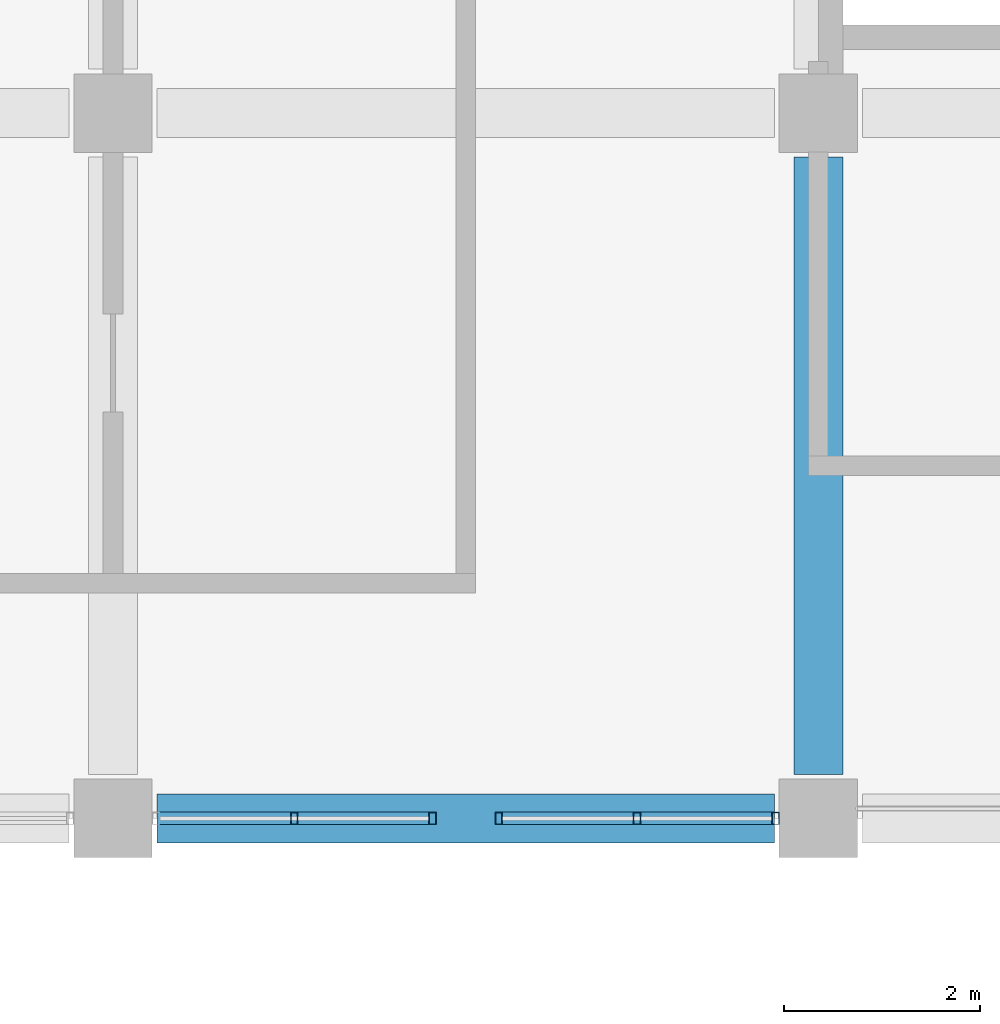
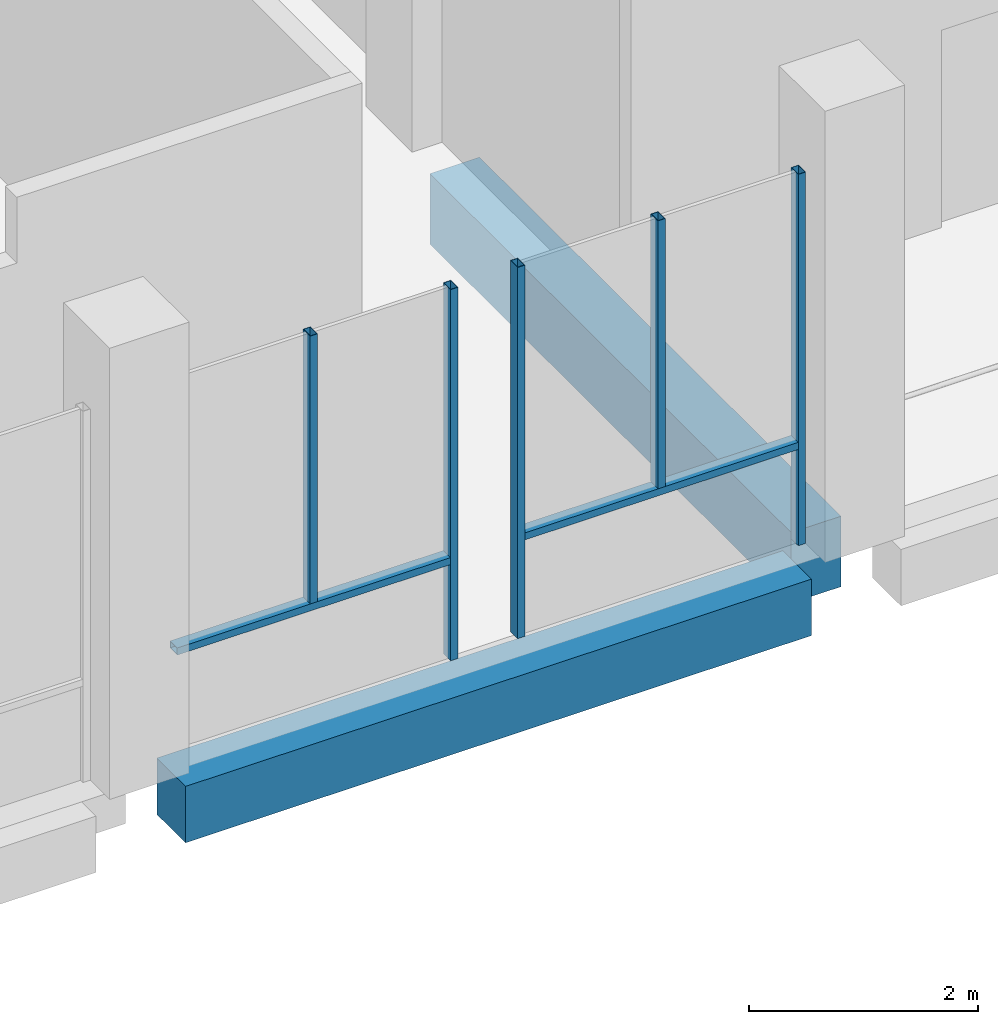
# One storey, part 10 of 31: 7 members, 2 beams, 2 elements without a shape of their own.
"""IFC4 building model written with IfcOpenShell, lengths in metres."""

from ifc_helpers import new_model, si_unit, direction, frame, origin, origin_2d, place, context, subcontext, project, spatial, rectangle, hollow_rectangle, extrude, material, material_profile, profile_set, type_object, element, aggregate, save


model = new_model("IFC4")

# Units and contexts
model_context = context("Model", 3, precision=1e-05, world=origin(), true_north=direction((0.0, 1.0)))
body_context = subcontext(model_context, "Body", "Model", "MODEL_VIEW")
ifc_project = project(units=[si_unit("LENGTHUNIT", "METRE"), si_unit("AREAUNIT", "SQUARE_METRE"), si_unit("VOLUMEUNIT", "CUBIC_METRE"), si_unit("PLANEANGLEUNIT", "RADIAN"), si_unit("MASSUNIT", "GRAM", prefix="KILO")], contexts=[model_context])

# Site, building, storey
site_placement = place(None, origin())
site = spatial("IfcSite", under=ifc_project, at=site_placement, CompositionType="ELEMENT")
building_placement = place(site_placement, origin())
building = spatial("IfcBuilding", under=site, at=building_placement, Name="Silangan Lancet Faculty of Sciences", CompositionType="ELEMENT")
storey_placement = place(building_placement, frame((0.0, 0.0, 36.0)))
storey = spatial("IfcBuildingStorey", under=building, at=storey_placement, Name="L07", CompositionType="ELEMENT", Elevation=36.0)

# Beams
ifc_material_1 = material(Name="Concrete C40/50", Category="concrete")
ifc_material_profile_1 = material_profile(ifc_material_1, rectangle(XDim=0.5, YDim=0.60009765625, at=origin_2d()), Name="RC 500x600")
ifc_profile_set_1 = profile_set([ifc_material_profile_1], Name="Concrete C40/50")
beam_type_1 = type_object("IfcBeamType", Name="BEAM RC 500x600", PredefinedType="BEAM", material=ifc_profile_set_1)
beam_1_placement = place(storey_placement, frame((14.85009765625, 36.0, -0.550048828125), z_axis=(1.0, 0.0, 0.0), x_axis=(0.0, 1.0, 0.0)))
element("IfcBeam", 1, at=beam_1_placement, inside=storey, type_object=beam_type_1, Name="BM-L07-3F-4F", PredefinedType="BEAM", context=body_context, shape_type="SweptSolid", body=[
    extrude(rectangle(XDim=0.5, YDim=0.60009765625, at=origin_2d()), origin(), (0.0, 0.0, 1.0), 6.2998046875),
])
ifc_material_2 = material(Name="Concrete C40/50", Category="concrete")
ifc_material_profile_2 = material_profile(ifc_material_2, rectangle(XDim=0.5, YDim=0.75, at=origin_2d()), Name="RC 500x750")
ifc_profile_set_2 = profile_set([ifc_material_profile_2], Name="Concrete C40/50")
beam_type_2 = type_object("IfcBeamType", Name="BEAM RC 500x750", PredefinedType="BEAM", material=ifc_profile_set_2)
beam_2_placement = place(storey_placement, frame((21.60009765625, 36.449951171875, -0.625), z_axis=(0.0, 1.0, 0.0), x_axis=(-1.0, 0.0, 0.0)))
element("IfcBeam", 2, at=beam_2_placement, inside=storey, type_object=beam_type_2, Name="BM-L07-4F-4G", PredefinedType="BEAM", context=body_context, shape_type="SweptSolid", body=[
    extrude(rectangle(XDim=0.5, YDim=0.75, at=origin_2d()), origin(), (0.0, 0.0, 1.0), 6.300048828125),
])

# Curtain wall, members
ifc_material_3 = material(Name="Aluminium framed curtain wall with insulated glass", Category="aluminium")
curtain_wall_type = type_object("IfcCurtainWallType", Name="CW2 Atrium fire-resisting screen", PredefinedType="NOTDEFINED", material=ifc_material_3)
curtain_wall_1_placement = place(storey_placement, origin())
curtain_wall_1 = element("IfcCurtainWall", 3, at=curtain_wall_1_placement, inside=storey, type_object=curtain_wall_type, Name="CW2 Atrium north L07 bay 5", PredefinedType="NOTDEFINED")
ifc_material_4 = material(Name="Steel S355J2H", Category="steel")
ifc_material_profile_3 = material_profile(ifc_material_4, hollow_rectangle(XDim=0.074951171875, YDim=0.125, WallThickness=0.0048828125, at=origin_2d()), Name="ST BOX 75x125x5")
ifc_profile_set_3 = profile_set([ifc_material_profile_3], Name="Steel S355J2H")
member_type_1 = type_object("IfcMemberType", Name="CM2 Mullion 75x125", PredefinedType="MULLION", material=ifc_profile_set_3)
member_1_placement = place(storey_placement, frame((17.66259765625, 36.0, 0.0), z_axis=(0.0, 0.0, 1.0), x_axis=(1.0, 0.0, 0.0)))
member_1 = element("IfcMember", 4, at=member_1_placement, type_object=member_type_1, Name="CW2 Atrium north L07 bay 5 mullion 2", PredefinedType="MULLION", context=body_context, shape_type="SweptSolid", body=[
    extrude(hollow_rectangle(XDim=0.074951171875, YDim=0.125, WallThickness=0.0048828125, at=origin_2d()), origin(), (0.0, 0.0, 1.0), 3.949951171875),
])
member_2_placement = place(storey_placement, frame((16.25, 36.0, 1.10009765625), z_axis=(0.0, 0.0, 1.0), x_axis=(1.0, 0.0, 0.0)))
member_2 = element("IfcMember", 5, at=member_2_placement, type_object=member_type_1, Name="CW2 Atrium north L07 bay 5 mullion 3", PredefinedType="MULLION", context=body_context, shape_type="SweptSolid", body=[
    extrude(hollow_rectangle(XDim=0.074951171875, YDim=0.125, WallThickness=0.0048828125, at=origin_2d()), origin(), (0.0, 0.0, 1.0), 2.849853515625),
])

curtain_wall_2_placement = place(storey_placement, origin())
curtain_wall_2 = element("IfcCurtainWall", 6, at=curtain_wall_2_placement, inside=storey, type_object=curtain_wall_type, Name="CW2 Atrium north L07 bay 6", PredefinedType="NOTDEFINED")
member_3_placement = place(storey_placement, frame((18.33740234375, 36.0, 0.0), z_axis=(0.0, 0.0, 1.0), x_axis=(1.0, 0.0, 0.0)))
member_3 = element("IfcMember", 7, at=member_3_placement, type_object=member_type_1, Name="CW2 Atrium north L07 bay 6 mullion 1", PredefinedType="MULLION", context=body_context, shape_type="SweptSolid", body=[
    extrude(hollow_rectangle(XDim=0.074951171875, YDim=0.125, WallThickness=0.0048828125, at=origin_2d()), origin(), (0.0, 0.0, 1.0), 3.949951171875),
])
member_4_placement = place(storey_placement, frame((21.16259765625, 36.0, 0.0), z_axis=(0.0, 0.0, 1.0), x_axis=(1.0, 0.0, 0.0)))
member_4 = element("IfcMember", 8, at=member_4_placement, type_object=member_type_1, Name="CW2 Atrium north L07 bay 6 mullion 2", PredefinedType="MULLION", context=body_context, shape_type="SweptSolid", body=[
    extrude(hollow_rectangle(XDim=0.074951171875, YDim=0.125, WallThickness=0.0048828125, at=origin_2d()), origin(), (0.0, 0.0, 1.0), 3.949951171875),
])
member_5_placement = place(storey_placement, frame((19.75, 36.0, 1.10009765625), z_axis=(0.0, 0.0, 1.0), x_axis=(1.0, 0.0, 0.0)))
member_5 = element("IfcMember", 9, at=member_5_placement, type_object=member_type_1, Name="CW2 Atrium north L07 bay 6 mullion 3", PredefinedType="MULLION", context=body_context, shape_type="SweptSolid", body=[
    extrude(hollow_rectangle(XDim=0.074951171875, YDim=0.125, WallThickness=0.0048828125, at=origin_2d()), origin(), (0.0, 0.0, 1.0), 2.849853515625),
])

# Member
ifc_material_5 = material(Name="Steel S355J2H", Category="steel")
ifc_material_profile_4 = material_profile(ifc_material_5, hollow_rectangle(XDim=0.125, YDim=0.074951171875, WallThickness=0.0048828125, at=origin_2d()), Name="ST BOX 125x75x5")
ifc_profile_set_4 = profile_set([ifc_material_profile_4], Name="Steel S355J2H")
member_type_2 = type_object("IfcMemberType", Name="CT2 Transom 125x75", PredefinedType="USERDEFINED", material=ifc_profile_set_4)
member_6_placement = place(storey_placement, frame((14.875, 36.0, 1.0625), z_axis=(1.0, 0.0, 0.0), x_axis=(0.0, 1.0, 0.0)))
member_6 = element("IfcMember", 10, at=member_6_placement, type_object=member_type_2, Name="CW2 Atrium north L07 bay 5 transom 1", ObjectType="TRANSOM", PredefinedType="USERDEFINED", context=body_context, shape_type="SweptSolid", body=[
    extrude(hollow_rectangle(XDim=0.125, YDim=0.074951171875, WallThickness=0.0048828125, at=origin_2d()), origin(), (0.0, 0.0, 1.0), 2.75),
])

aggregate(curtain_wall_1, [member_1, member_2, member_6])

member_7_placement = place(storey_placement, frame((18.375, 36.0, 1.0625), z_axis=(1.0, 0.0, 0.0), x_axis=(0.0, 1.0, 0.0)))
member_7 = element("IfcMember", 11, at=member_7_placement, type_object=member_type_2, Name="CW2 Atrium north L07 bay 6 transom 1", ObjectType="TRANSOM", PredefinedType="USERDEFINED", context=body_context, shape_type="SweptSolid", body=[
    extrude(hollow_rectangle(XDim=0.125, YDim=0.074951171875, WallThickness=0.0048828125, at=origin_2d()), origin(), (0.0, 0.0, 1.0), 2.75),
])

aggregate(curtain_wall_2, [member_3, member_4, member_5, member_7])

save(model, "model.ifc")
